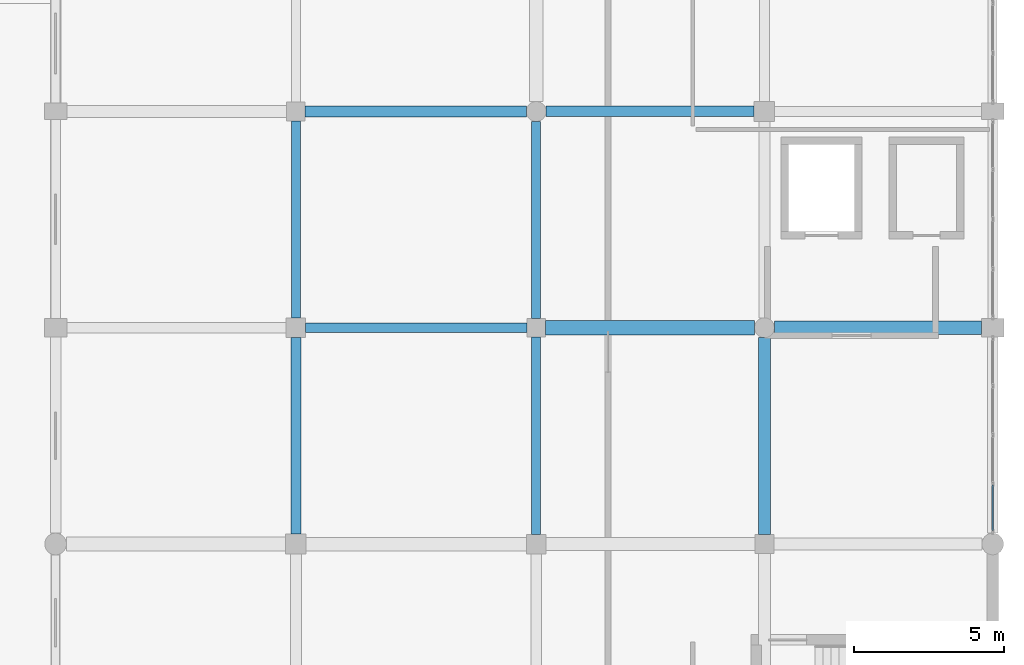
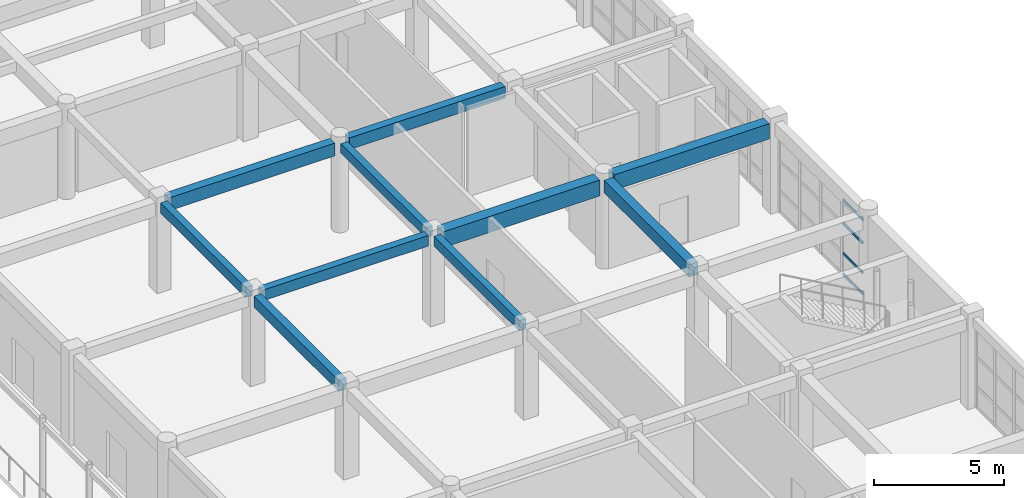
# One storey, part 99 of 160: 10 beams, 4 members, 1 element without a shape of its own.
"""IFC4 building model written with IfcOpenShell, lengths in metres."""

from ifc_helpers import new_model, si_unit, direction, frame, origin, origin_2d, place, context, subcontext, project, spatial, rectangle, hollow_rectangle, extrude, material, material_profile, profile_set, type_object, element, aggregate, save


model = new_model("IFC4")

# Units and contexts
model_context = context("Model", 3, precision=1e-05, world=origin(), true_north=direction((0.0, 1.0)))
body_context = subcontext(model_context, "Body", "Model", "MODEL_VIEW")
ifc_project = project(units=[si_unit("LENGTHUNIT", "METRE"), si_unit("AREAUNIT", "SQUARE_METRE"), si_unit("VOLUMEUNIT", "CUBIC_METRE"), si_unit("PLANEANGLEUNIT", "RADIAN"), si_unit("MASSUNIT", "GRAM", prefix="KILO")], contexts=[model_context])

# Site, building, storey
site_placement = place(None, origin())
site = spatial("IfcSite", under=ifc_project, at=site_placement, CompositionType="ELEMENT")
building_placement = place(site_placement, origin())
building = spatial("IfcBuilding", under=site, at=building_placement, Name="Kharva Crest Polytechnic", CompositionType="ELEMENT")
storey_placement = place(building_placement, frame((0.0, 0.0, 4.5)))
storey = spatial("IfcBuildingStorey", under=building, at=storey_placement, Name="L01", CompositionType="ELEMENT", Elevation=4.5)

# Beams
ifc_material_1 = material(Name="Concrete C35/45", Category="concrete")
ifc_material_profile_1 = material_profile(ifc_material_1, rectangle(XDim=0.300048828125, YDim=0.449951171875, at=origin_2d()), Name="RECT 300 X 450")
ifc_profile_set_1 = profile_set([ifc_material_profile_1], Name="Concrete C35/45")
beam_type_1 = type_object("IfcBeamType", Name="BM-RC-300X450", PredefinedType="BEAM", material=ifc_profile_set_1)
beam_1_placement = place(storey_placement, frame((168.800048828125, 86.31005859375, 3.9951171875), z_axis=(0.0, 1.0, 0.0), x_axis=(-1.0, 0.0, 0.0)))
element("IfcBeam", 1, at=beam_1_placement, inside=storey, type_object=beam_type_1, Name="L01 Girder 22/M-N", PredefinedType="BEAM", context=body_context, shape_type="SweptSolid", body=[
    extrude(rectangle(XDim=0.300048828125, YDim=0.449951171875, at=origin_2d()), origin(), (0.0, 0.0, 1.0), 6.56005859375),
])
ifc_material_profile_2 = material_profile(ifc_material_1, rectangle(XDim=0.300048828125, YDim=0.47998046875, at=origin_2d()), Name="RECT 300 X 480")
ifc_profile_set_2 = profile_set([ifc_material_profile_2], Name="Concrete C35/45")
beam_type_2 = type_object("IfcBeamType", Name="BM-RC-300X480", PredefinedType="BEAM", material=ifc_profile_set_2)
for number, where, z_axis, x_axis, name in (
    (2, (160.800048828125, 86.324951171875, 3.97998046875), (0.0, 1.0, 0.0), (-1.0, 0.0, 0.0), "L01 Girder 21/M-N"),
    (3, (168.800048828125, 79.125, 3.97998046875), (0.0, 1.0, 0.0), (-1.0, 0.0, 0.0), "L01 Girder 22/L-M"),
):
    element("IfcBeam", number, at=place(storey_placement, frame(where, z_axis=z_axis, x_axis=x_axis)), inside=storey, type_object=beam_type_2, Name=name, PredefinedType="BEAM", context=body_context, shape_type="SweptSolid", body=[
        extrude(rectangle(XDim=0.300048828125, YDim=0.47998046875, at=origin_2d()), origin(), (0.0, 0.0, 1.0), 6.56494140625),
    ])
ifc_material_profile_3 = material_profile(ifc_material_1, rectangle(XDim=0.320068359375, YDim=0.5, at=origin_2d()), Name="RECT 320 X 500")
ifc_profile_set_3 = profile_set([ifc_material_profile_3], Name="Concrete C35/45")
beam_type_3 = type_object("IfcBeamType", Name="BM-RC-320X500", PredefinedType="BEAM", material=ifc_profile_set_3)
beam_2_placement = place(storey_placement, frame((161.125, 86.0, 3.969970703125), z_axis=(1.0, 0.0, 0.0), x_axis=(0.0, 1.0, 0.0)))
element("IfcBeam", 4, at=beam_2_placement, inside=storey, type_object=beam_type_3, Name="L01 Beam M/21-22", PredefinedType="BEAM", context=body_context, shape_type="SweptSolid", body=[
    extrude(rectangle(XDim=0.320068359375, YDim=0.5, at=origin_2d()), origin(), (0.0, 0.0, 1.0), 7.364990234375),
])
ifc_material_profile_4 = material_profile(ifc_material_1, rectangle(XDim=0.340087890625, YDim=0.52001953125, at=origin_2d()), Name="RECT 340 X 520")
ifc_profile_set_4 = profile_set([ifc_material_profile_4], Name="Concrete C35/45")
beam_type_4 = type_object("IfcBeamType", Name="BM-RC-340X520", PredefinedType="BEAM", material=ifc_profile_set_4)
beam_3_placement = place(storey_placement, frame((160.800048828125, 79.139892578125, 3.9599609375), z_axis=(0.0, 1.0, 0.0), x_axis=(-1.0, 0.0, 0.0)))
element("IfcBeam", 5, at=beam_3_placement, inside=storey, type_object=beam_type_4, Name="L01 Girder 21/L-M", PredefinedType="BEAM", context=body_context, shape_type="SweptSolid", body=[
    extrude(rectangle(XDim=0.340087890625, YDim=0.52001953125, at=origin_2d()), origin(), (0.0, 0.0, 1.0), 6.53515625),
])
ifc_material_profile_5 = material_profile(ifc_material_1, rectangle(XDim=0.35009765625, YDim=0.550048828125, at=origin_2d()), Name="RECT 350 X 550")
ifc_profile_set_5 = profile_set([ifc_material_profile_5], Name="Concrete C35/45")
beam_type_5 = type_object("IfcBeamType", Name="BM-RC-350X550", PredefinedType="BEAM", material=ifc_profile_set_5)
beam_4_placement = place(storey_placement, frame((169.1298828125, 93.199951171875, 3.945068359375), z_axis=(1.0, 0.0, 0.0), x_axis=(0.0, 1.0, 0.0)))
element("IfcBeam", 6, at=beam_4_placement, inside=storey, type_object=beam_type_5, Name="L01 Beam N/22-23", PredefinedType="BEAM", context=body_context, shape_type="SweptSolid", body=[
    extrude(rectangle(XDim=0.35009765625, YDim=0.550048828125, at=origin_2d()), origin(), (0.0, 0.0, 1.0), 6.93017578125),
])
ifc_material_profile_6 = material_profile(ifc_material_1, rectangle(XDim=0.3798828125, YDim=0.60009765625, at=origin_2d()), Name="RECT 380 X 600")
ifc_profile_set_6 = profile_set([ifc_material_profile_6], Name="Concrete C35/45")
beam_type_6 = type_object("IfcBeamType", Name="BM-RC-380X600", PredefinedType="BEAM", material=ifc_profile_set_6)
beam_5_placement = place(storey_placement, frame((161.110107421875, 93.199951171875, 3.919921875), z_axis=(1.0, 0.0, 0.0), x_axis=(0.0, 1.0, 0.0)))
element("IfcBeam", 7, at=beam_5_placement, inside=storey, type_object=beam_type_6, Name="L01 Beam N/21-22", PredefinedType="BEAM", context=body_context, shape_type="SweptSolid", body=[
    extrude(rectangle(XDim=0.3798828125, YDim=0.60009765625, at=origin_2d()), origin(), (0.0, 0.0, 1.0), 7.35986328125),
])
ifc_material_profile_7 = material_profile(ifc_material_1, rectangle(XDim=0.39990234375, YDim=0.580078125, at=origin_2d()), Name="RECT 400 X 580")
ifc_profile_set_7 = profile_set([ifc_material_profile_7], Name="Concrete C35/45")
beam_type_7 = type_object("IfcBeamType", Name="BM-RC-400X580", PredefinedType="BEAM", material=ifc_profile_set_7)
beam_6_placement = place(storey_placement, frame((176.39990234375, 79.110107421875, 3.929931640625), z_axis=(0.0, 1.0, 0.0), x_axis=(-1.0, 0.0, 0.0)))
element("IfcBeam", 8, at=beam_6_placement, inside=storey, type_object=beam_type_7, Name="L01 Girder 23/L-M", PredefinedType="BEAM", context=body_context, shape_type="SweptSolid", body=[
    extrude(rectangle(XDim=0.39990234375, YDim=0.580078125, at=origin_2d()), origin(), (0.0, 0.0, 1.0), 6.559814453125),
])
ifc_material_profile_8 = material_profile(ifc_material_1, rectangle(XDim=0.449951171875, YDim=0.719970703125, at=origin_2d()), Name="RECT 450 X 720")
ifc_profile_set_8 = profile_set([ifc_material_profile_8], Name="Concrete C35/45")
beam_type_8 = type_object("IfcBeamType", Name="BM-RC-450X720", PredefinedType="BEAM", material=ifc_profile_set_8)
beam_7_placement = place(storey_placement, frame((176.72998046875, 86.0, 3.860107421875), z_axis=(1.0, 0.0, 0.0), x_axis=(0.0, 1.0, 0.0)))
element("IfcBeam", 9, at=beam_7_placement, inside=storey, type_object=beam_type_8, Name="L01 Beam M/23-24", PredefinedType="BEAM", context=body_context, shape_type="SweptSolid", body=[
    extrude(rectangle(XDim=0.449951171875, YDim=0.719970703125, at=origin_2d()), origin(), (0.0, 0.0, 1.0), 6.89501953125),
])
ifc_material_profile_9 = material_profile(ifc_material_1, rectangle(XDim=0.47998046875, YDim=0.75, at=origin_2d()), Name="RECT 480 X 750")
ifc_profile_set_9 = profile_set([ifc_material_profile_9], Name="Concrete C35/45")
beam_type_9 = type_object("IfcBeamType", Name="BM-RC-480X750", PredefinedType="BEAM", material=ifc_profile_set_9)
beam_8_placement = place(storey_placement, frame((169.110107421875, 86.0, 3.844970703125), z_axis=(1.0, 0.0, 0.0), x_axis=(0.0, 1.0, 0.0)))
element("IfcBeam", 10, at=beam_8_placement, inside=storey, type_object=beam_type_9, Name="L01 Beam M/22-23", PredefinedType="BEAM", context=body_context, shape_type="SweptSolid", body=[
    extrude(rectangle(XDim=0.47998046875, YDim=0.75, at=origin_2d()), origin(), (0.0, 0.0, 1.0), 6.9599609375),
])

# Curtain wall, members
ifc_material_2 = material(Name="Tempered insulated glass", Category="glass")
curtain_wall_type = type_object("IfcCurtainWallType", Name="CW-SYS-COURT", PredefinedType="USERDEFINED", material=ifc_material_2)
curtain_wall_placement = place(storey_placement, origin())
curtain_wall = element("IfcCurtainWall", 11, at=curtain_wall_placement, inside=storey, type_object=curtain_wall_type, Name="L01 Glazed Curtain Wall CW-062", ObjectType="CURTAIN WALL", PredefinedType="USERDEFINED")
ifc_material_3 = material(Name="Steel S355", Category="steel")
ifc_material_profile_10 = material_profile(ifc_material_3, hollow_rectangle(XDim=0.06005859375, YDim=0.1201171875, WallThickness=0.00390625, at=origin_2d()), Name="RHS 120X60X4.0")
ifc_profile_set_10 = profile_set([ifc_material_profile_10], Name="Steel S355")
member_type = type_object("IfcMemberType", Name="CWT-RHS120X60", PredefinedType="USERDEFINED", material=ifc_profile_set_10)
member_1_placement = place(storey_placement, frame((184.0, 79.2451171875, 0.06005859375), z_axis=(0.0, 1.0, 0.0), x_axis=(-1.0, 0.0, 0.0)))
member_1 = element("IfcMember", 12, at=member_1_placement, type_object=member_type, Name="CW-062 transom 1.1", ObjectType="TRANSOM", PredefinedType="USERDEFINED", context=body_context, shape_type="SweptSolid", body=[
    extrude(hollow_rectangle(XDim=0.06005859375, YDim=0.1201171875, WallThickness=0.00390625, at=origin_2d()), origin(), (0.0, 0.0, 1.0), 1.512451171875),
])
member_2_placement = place(storey_placement, frame((184.0, 79.2451171875, 1.050048828125), z_axis=(0.0, 1.0, 0.0), x_axis=(-1.0, 0.0, 0.0)))
member_2 = element("IfcMember", 13, at=member_2_placement, type_object=member_type, Name="CW-062 transom 1.2", ObjectType="TRANSOM", PredefinedType="USERDEFINED", context=body_context, shape_type="SweptSolid", body=[
    extrude(hollow_rectangle(XDim=0.06005859375, YDim=0.1201171875, WallThickness=0.00390625, at=origin_2d()), origin(), (0.0, 0.0, 1.0), 1.512451171875),
])
member_3_placement = place(storey_placement, frame((184.0, 79.2451171875, 2.449951171875), z_axis=(0.0, 1.0, 0.0), x_axis=(-1.0, 0.0, 0.0)))
member_3 = element("IfcMember", 14, at=member_3_placement, type_object=member_type, Name="CW-062 transom 1.3", ObjectType="TRANSOM", PredefinedType="USERDEFINED", context=body_context, shape_type="SweptSolid", body=[
    extrude(hollow_rectangle(XDim=0.06005859375, YDim=0.1201171875, WallThickness=0.00390625, at=origin_2d()), origin(), (0.0, 0.0, 1.0), 1.512451171875),
])
member_4_placement = place(storey_placement, frame((184.0, 79.2451171875, 3.5400390625), z_axis=(0.0, 1.0, 0.0), x_axis=(-1.0, 0.0, 0.0)))
member_4 = element("IfcMember", 15, at=member_4_placement, type_object=member_type, Name="CW-062 transom 1.4", ObjectType="TRANSOM", PredefinedType="USERDEFINED", context=body_context, shape_type="SweptSolid", body=[
    extrude(hollow_rectangle(XDim=0.06005859375, YDim=0.1201171875, WallThickness=0.00390625, at=origin_2d()), origin(), (0.0, 0.0, 1.0), 1.512451171875),
])
aggregate(curtain_wall, [member_1, member_2, member_3, member_4])

save(model, "model.ifc")
